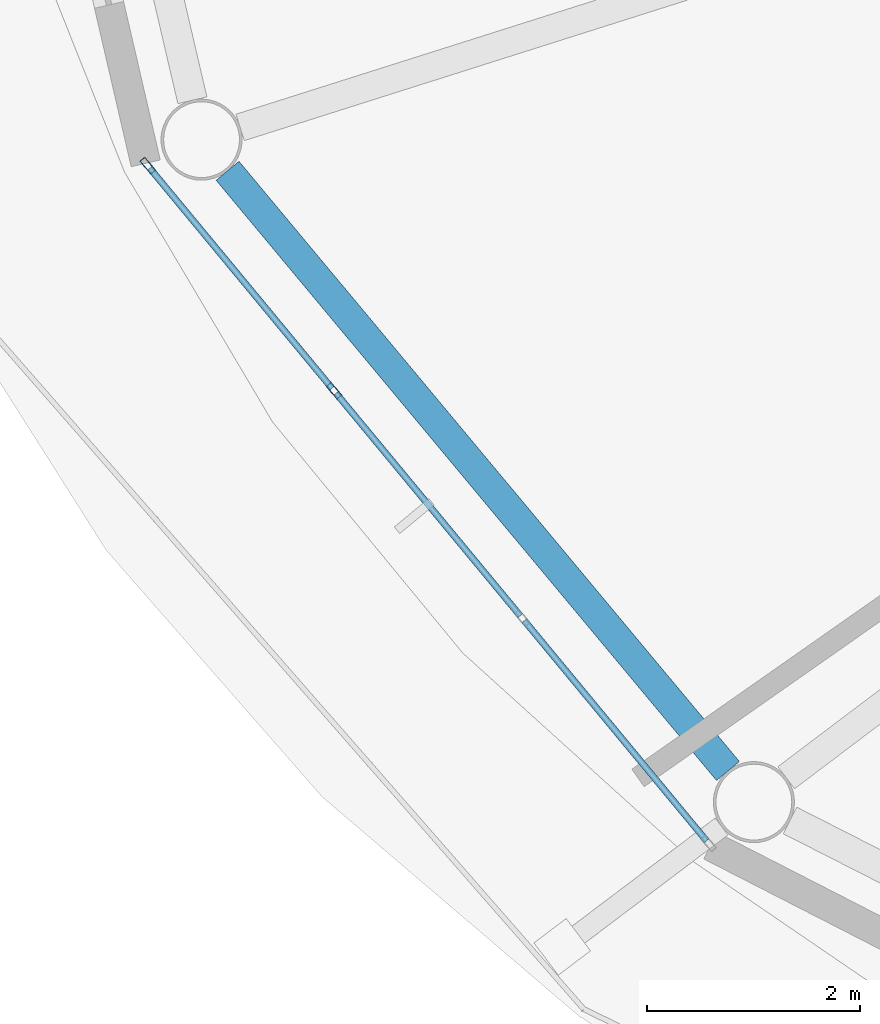
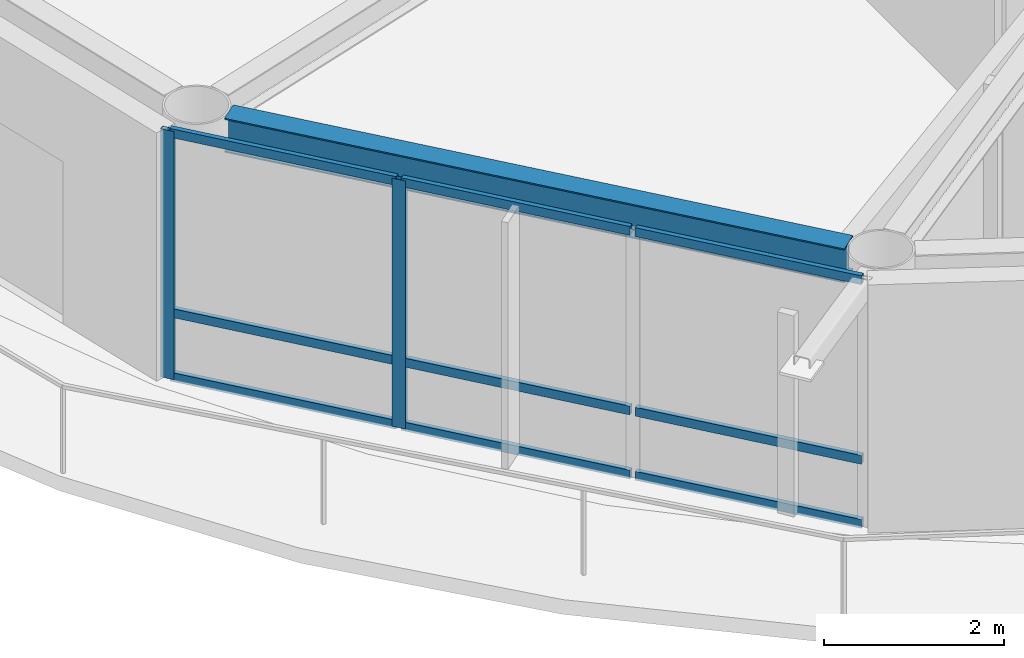
# One storey, part 3 of 23: 11 members, 1 beam, 1 element without a shape of its own.
"""IFC4 building model written with IfcOpenShell, lengths in metres."""

from ifc_helpers import new_model, si_unit, direction, frame, origin, origin_2d, place, context, subcontext, project, spatial, hollow_rectangle, i_section, extrude, material, layer, layer_set, material_profile, profile_set, type_object, element, aggregate, save


model = new_model("IFC4")

# Units and contexts
model_context = context("Model", 3, precision=1e-05, world=origin(), true_north=direction((0.0, 1.0)))
body_context = subcontext(model_context, "Body", "Model", "MODEL_VIEW")
ifc_project = project(units=[si_unit("LENGTHUNIT", "METRE"), si_unit("AREAUNIT", "SQUARE_METRE"), si_unit("VOLUMEUNIT", "CUBIC_METRE"), si_unit("PLANEANGLEUNIT", "RADIAN"), si_unit("MASSUNIT", "GRAM", prefix="KILO")], contexts=[model_context])

# Site, building, storey
site_placement = place(None, origin())
site = spatial("IfcSite", under=ifc_project, at=site_placement, CompositionType="ELEMENT")
building_placement = place(site_placement, origin())
building = spatial("IfcBuilding", under=site, at=building_placement, Name="Sarneth Arch Tower", CompositionType="ELEMENT")
storey_placement = place(building_placement, frame((0.0, 0.0, 276.60009765625)))
storey = spatial("IfcBuildingStorey", under=building, at=storey_placement, Name="L71", CompositionType="ELEMENT", Elevation=276.60009765625)

# Beam
ifc_material_1 = material(Name="Steel S355", Category="steel")
ifc_material_profile_1 = material_profile(ifc_material_1, i_section(OverallWidth=0.280029296875, OverallDepth=0.462890625, WebThickness=0.0107421875, FlangeThickness=0.017333984375, FilletRadius=0.01806640625, at=origin_2d()), Name="W460x113")
ifc_profile_set_1 = profile_set([ifc_material_profile_1], Name="Steel S355")
beam_type = type_object("IfcBeamType", Name="BM-RAD-460A", PredefinedType="BEAM", material=ifc_profile_set_1)
beam_placement = place(storey_placement, frame((25.0751953125, 34.35986328125, 3.138427734375), z_axis=(0.640377192996, -0.768060577487, 0.0), x_axis=(0.768060577487, 0.640377192996, 0.0)))
element("IfcBeam", 1, at=beam_placement, inside=storey, type_object=beam_type, Name="L71 Perimeter spandrel beam 10", PredefinedType="BEAM", context=body_context, shape_type="SweptSolid", body=[
    extrude(i_section(OverallWidth=0.280029296875, OverallDepth=0.462890625, WebThickness=0.0107421875, FlangeThickness=0.017333984375, FilletRadius=0.01806640625, at=origin_2d()), origin(), (0.0, 0.0, 1.0), 7.34814453125),
])

# Curtain wall, members
ifc_material_2 = material(Name="Anodised aluminium Type AA25 and solar-control low-e laminated IGU", Category="aluminium")
ifc_layer = layer(ifc_material_2, 0.179931640625)
ifc_layer_set = layer_set([ifc_layer], Name="Anodised aluminium Type AA25 and solar-control low-e laminated IGU")
curtain_wall_type = type_object("IfcCurtainWallType", Name="CW-RES-HIGH", PredefinedType="NOTDEFINED", material=ifc_layer_set)
curtain_wall_placement = place(storey_placement, origin())
curtain_wall = element("IfcCurtainWall", 2, at=curtain_wall_placement, inside=storey, type_object=curtain_wall_type, Name="L71 Unitised curtain wall facet 10", PredefinedType="NOTDEFINED")
ifc_material_3 = material(Name="Anodised Aluminium 6063-T6", Category="aluminium")
ifc_material_profile_2 = material_profile(ifc_material_3, hollow_rectangle(XDim=0.06005859375, YDim=0.159912109375, WallThickness=0.00390625, at=origin_2d()), Name="AL-MULL-160x60x4")
ifc_profile_set_2 = profile_set([ifc_material_profile_2], Name="Anodised Aluminium 6063-T6")
member_type_1 = type_object("IfcMemberType", Name="CW-MULLION", PredefinedType="MULLION", material=ifc_profile_set_2)
member_1_placement = place(storey_placement, frame((24.325439453125, 34.407470703125, 0.0), z_axis=(0.0, 0.0, 1.0), x_axis=(0.770359245933, 0.637610094184, 0.0)))
member_1 = element("IfcMember", 3, at=member_1_placement, type_object=member_type_1, Name="CW-SYS-6 mullion 1", PredefinedType="MULLION", context=body_context, shape_type="SweptSolid", body=[
    extrude(hollow_rectangle(XDim=0.06005859375, YDim=0.159912109375, WallThickness=0.00390625, at=origin_2d()), origin(), (0.0, 0.0, 1.0), 3.369873046875),
])
member_2_placement = place(storey_placement, frame((26.07666015625, 32.29150390625, 0.0), z_axis=(0.0, 0.0, 1.0), x_axis=(0.770359245933, 0.637610094184, 0.0)))
member_2 = element("IfcMember", 4, at=member_2_placement, type_object=member_type_1, Name="CW-SYS-6 mullion 2", PredefinedType="MULLION", context=body_context, shape_type="SweptSolid", body=[
    extrude(hollow_rectangle(XDim=0.06005859375, YDim=0.159912109375, WallThickness=0.00390625, at=origin_2d()), origin(), (0.0, 0.0, 1.0), 3.369873046875),
])
ifc_material_4 = material(Name="Anodised Aluminium 6063-T6", Category="aluminium")
ifc_material_profile_3 = material_profile(ifc_material_4, hollow_rectangle(XDim=0.06005859375, YDim=0.1201171875, WallThickness=0.00390625, at=origin_2d()), Name="AL-TRAN-120x60x4")
ifc_profile_set_3 = profile_set([ifc_material_profile_3], Name="Anodised Aluminium 6063-T6")
member_type_2 = type_object("IfcMemberType", Name="CW-TRANSOM", PredefinedType="USERDEFINED", material=ifc_profile_set_3)
member_3_placement = place(storey_placement, frame((24.344482421875, 34.38427734375, 0.02978515625), z_axis=(0.637651400067, -0.770325056059, 0.0), x_axis=(0.770325056059, 0.637651400067, 0.0)))
member_3 = element("IfcMember", 5, at=member_3_placement, type_object=member_type_2, Name="CW-SYS-6 transom 1.1", ObjectType="TRANSOM", PredefinedType="USERDEFINED", context=body_context, shape_type="SweptSolid", body=[
    extrude(hollow_rectangle(XDim=0.06005859375, YDim=0.1201171875, WallThickness=0.00390625, at=origin_2d()), origin(), (0.0, 0.0, 1.0), 2.6865234375),
])
member_4_placement = place(storey_placement, frame((24.344482421875, 34.38427734375, 0.89990234375), z_axis=(0.637651400067, -0.770325056059, 0.0), x_axis=(0.770325056059, 0.637651400067, 0.0)))
member_4 = element("IfcMember", 6, at=member_4_placement, type_object=member_type_2, Name="CW-SYS-6 transom 1.2", ObjectType="TRANSOM", PredefinedType="USERDEFINED", context=body_context, shape_type="SweptSolid", body=[
    extrude(hollow_rectangle(XDim=0.06005859375, YDim=0.1201171875, WallThickness=0.00390625, at=origin_2d()), origin(), (0.0, 0.0, 1.0), 2.6865234375),
])
member_5_placement = place(storey_placement, frame((24.344482421875, 34.38427734375, 3.33984375), z_axis=(0.637651400067, -0.770325056059, 0.0), x_axis=(0.770325056059, 0.637651400067, 0.0)))
member_5 = element("IfcMember", 7, at=member_5_placement, type_object=member_type_2, Name="CW-SYS-6 transom 1.3", ObjectType="TRANSOM", PredefinedType="USERDEFINED", context=body_context, shape_type="SweptSolid", body=[
    extrude(hollow_rectangle(XDim=0.06005859375, YDim=0.1201171875, WallThickness=0.00390625, at=origin_2d()), origin(), (0.0, 0.0, 1.0), 2.6865234375),
])
member_6_placement = place(storey_placement, frame((26.095703125, 32.268310546875, 0.02978515625), z_axis=(0.637617371902, -0.770353222261, 0.0), x_axis=(0.770353222261, 0.637617371902, 0.0)))
member_6 = element("IfcMember", 8, at=member_6_placement, type_object=member_type_2, Name="CW-SYS-6 transom 2.1", ObjectType="TRANSOM", PredefinedType="USERDEFINED", context=body_context, shape_type="SweptSolid", body=[
    extrude(hollow_rectangle(XDim=0.06005859375, YDim=0.1201171875, WallThickness=0.00390625, at=origin_2d()), origin(), (0.0, 0.0, 1.0), 2.716552734375),
])
member_7_placement = place(storey_placement, frame((26.095703125, 32.268310546875, 0.89990234375), z_axis=(0.637617371902, -0.770353222261, 0.0), x_axis=(0.770353222261, 0.637617371902, 0.0)))
member_7 = element("IfcMember", 9, at=member_7_placement, type_object=member_type_2, Name="CW-SYS-6 transom 2.2", ObjectType="TRANSOM", PredefinedType="USERDEFINED", context=body_context, shape_type="SweptSolid", body=[
    extrude(hollow_rectangle(XDim=0.06005859375, YDim=0.1201171875, WallThickness=0.00390625, at=origin_2d()), origin(), (0.0, 0.0, 1.0), 2.716552734375),
])
member_8_placement = place(storey_placement, frame((26.095703125, 32.268310546875, 3.33984375), z_axis=(0.637617371902, -0.770353222261, 0.0), x_axis=(0.770353222261, 0.637617371902, 0.0)))
member_8 = element("IfcMember", 10, at=member_8_placement, type_object=member_type_2, Name="CW-SYS-6 transom 2.3", ObjectType="TRANSOM", PredefinedType="USERDEFINED", context=body_context, shape_type="SweptSolid", body=[
    extrude(hollow_rectangle(XDim=0.06005859375, YDim=0.1201171875, WallThickness=0.00390625, at=origin_2d()), origin(), (0.0, 0.0, 1.0), 2.716552734375),
])
member_9_placement = place(storey_placement, frame((27.8662109375, 30.12939453125, 0.02978515625), z_axis=(0.637606765719, -0.770362000821, 0.0), x_axis=(0.770362000821, 0.637606765719, 0.0)))
member_9 = element("IfcMember", 11, at=member_9_placement, type_object=member_type_2, Name="CW-SYS-6 transom 3.1", ObjectType="TRANSOM", PredefinedType="USERDEFINED", context=body_context, shape_type="SweptSolid", body=[
    extrude(hollow_rectangle(XDim=0.06005859375, YDim=0.1201171875, WallThickness=0.00390625, at=origin_2d()), origin(), (0.0, 0.0, 1.0), 2.686767578125),
])
member_10_placement = place(storey_placement, frame((27.8662109375, 30.12939453125, 0.89990234375), z_axis=(0.637606765719, -0.770362000821, 0.0), x_axis=(0.770362000821, 0.637606765719, 0.0)))
member_10 = element("IfcMember", 12, at=member_10_placement, type_object=member_type_2, Name="CW-SYS-6 transom 3.2", ObjectType="TRANSOM", PredefinedType="USERDEFINED", context=body_context, shape_type="SweptSolid", body=[
    extrude(hollow_rectangle(XDim=0.06005859375, YDim=0.1201171875, WallThickness=0.00390625, at=origin_2d()), origin(), (0.0, 0.0, 1.0), 2.686767578125),
])
member_11_placement = place(storey_placement, frame((27.8662109375, 30.12939453125, 3.33984375), z_axis=(0.637606765719, -0.770362000821, 0.0), x_axis=(0.770362000821, 0.637606765719, 0.0)))
member_11 = element("IfcMember", 13, at=member_11_placement, type_object=member_type_2, Name="CW-SYS-6 transom 3.3", ObjectType="TRANSOM", PredefinedType="USERDEFINED", context=body_context, shape_type="SweptSolid", body=[
    extrude(hollow_rectangle(XDim=0.06005859375, YDim=0.1201171875, WallThickness=0.00390625, at=origin_2d()), origin(), (0.0, 0.0, 1.0), 2.686767578125),
])
aggregate(curtain_wall, [member_1, member_2, member_3, member_4, member_5, member_6, member_7, member_8, member_9, member_10, member_11])

save(model, "model.ifc")
